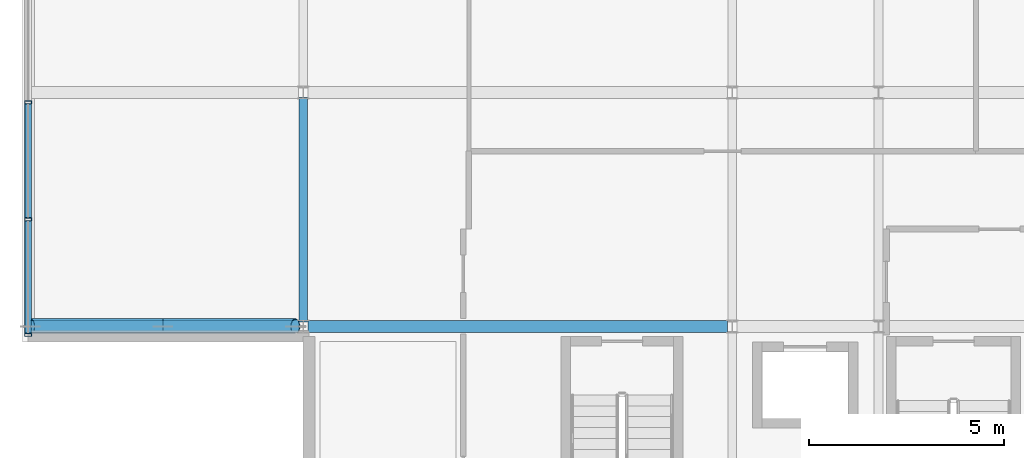
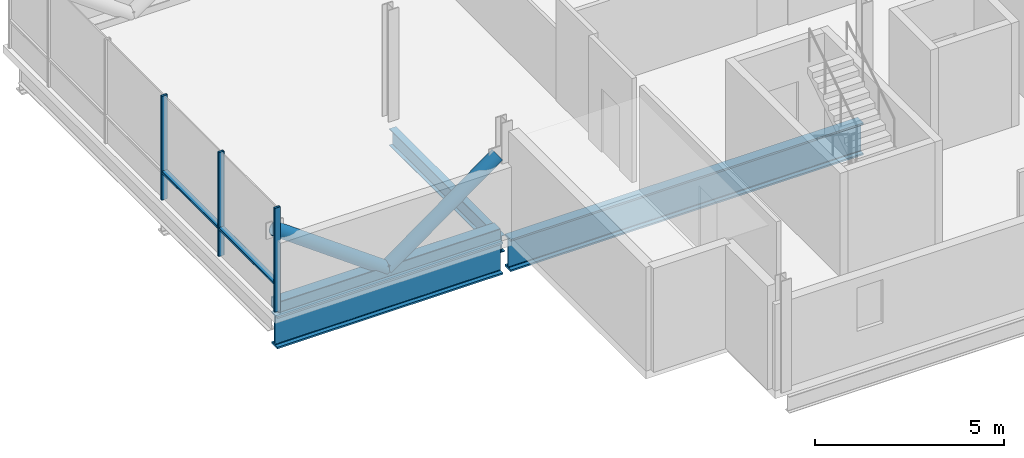
# One storey, part 2 of 18: 8 members, 3 beams, 1 element without a shape of its own.
"""IFC4 building model written with IfcOpenShell, lengths in metres."""

from ifc_helpers import new_model, si_unit, direction, frame, origin, origin_2d, place, context, subcontext, project, spatial, hollow_rectangle, hollow_circle, i_section, extrude, material, layer, layer_set, material_profile, profile_set, type_object, element, aggregate, save


model = new_model("IFC4")

# Units and contexts
model_context = context("Model", 3, precision=1e-05, world=origin(), true_north=direction((0.0, 1.0)))
body_context = subcontext(model_context, "Body", "Model", "MODEL_VIEW")
ifc_project = project(units=[si_unit("LENGTHUNIT", "METRE"), si_unit("AREAUNIT", "SQUARE_METRE"), si_unit("VOLUMEUNIT", "CUBIC_METRE"), si_unit("PLANEANGLEUNIT", "RADIAN"), si_unit("MASSUNIT", "GRAM", prefix="KILO")], contexts=[model_context])

# Site, building, storey
site_placement = place(None, origin())
site = spatial("IfcSite", under=ifc_project, at=site_placement, CompositionType="ELEMENT")
building_placement = place(site_placement, origin())
building = spatial("IfcBuilding", under=site, at=building_placement, Name="Brevholm Reach", CompositionType="ELEMENT")
storey_placement = place(building_placement, frame((0.0, 0.0, 240.050048828125)))
storey = spatial("IfcBuildingStorey", under=building, at=storey_placement, Name="L73", CompositionType="ELEMENT", Elevation=240.050048828125)

# Beams
ifc_material_1 = material(Name="Structural Steel S355J2", Category="steel")
ifc_material_profile_1 = material_profile(ifc_material_1, i_section(OverallWidth=0.210693359375, OverallDepth=0.53955078125, WebThickness=0.01171875, FlangeThickness=0.018798828125, FilletRadius=0.0126953125, at=origin_2d()), Name="UKB 533x210x109")
ifc_profile_set_1 = profile_set([ifc_material_profile_1], Name="Structural Steel S355J2")
beam_type_1 = type_object("IfcBeamType", Name="BM-SP539", PredefinedType="SPANDREL", material=ifc_profile_set_1)
beam_1_placement = place(storey_placement, frame((27.25, 10.1201171875, -0.519775390625), z_axis=(0.0, 1.0, 0.0), x_axis=(-1.0, 0.0, 0.0)))
element("IfcBeam", 1, at=beam_1_placement, inside=storey, type_object=beam_type_1, Name="L73 SP-01B Framing Beam", PredefinedType="SPANDREL", context=body_context, shape_type="SweptSolid", body=[
    extrude(i_section(OverallWidth=0.210693359375, OverallDepth=0.53955078125, WebThickness=0.01171875, FlangeThickness=0.018798828125, FilletRadius=0.0126953125, at=origin_2d()), origin(), (0.0, 0.0, 1.0), 5.759765625),
])
ifc_material_2 = material(Name="Structural Steel S460ML", Category="steel")
ifc_material_profile_2 = material_profile(ifc_material_2, i_section(OverallWidth=0.30859375, OverallDepth=1.036376953125, WebThickness=0.030029296875, FlangeThickness=0.05419921875, FilletRadius=0.030029296875, at=origin_2d()), Name="UKB 1016x305x487")
ifc_profile_set_2 = profile_set([ifc_material_profile_2], Name="Structural Steel S460ML")
beam_type_2 = type_object("IfcBeamType", Name="BM-UKB1016", PredefinedType="USERDEFINED", material=ifc_profile_set_2)
beam_2_placement = place(storey_placement, frame((20.25, 10.0, -0.768310546875), z_axis=(1.0, 0.0, 0.0), x_axis=(0.0, 1.0, 0.0)))
element("IfcBeam", 2, at=beam_2_placement, inside=storey, type_object=beam_type_2, Name="L73 Sky-Lounge Cantilever Girder", ObjectType="GIRDER", PredefinedType="USERDEFINED", context=body_context, shape_type="SweptSolid", body=[
    extrude(i_section(OverallWidth=0.30859375, OverallDepth=1.036376953125, WebThickness=0.030029296875, FlangeThickness=0.05419921875, FilletRadius=0.030029296875, at=origin_2d()), origin(), (0.0, 0.0, 1.0), 6.8798828125),
])
beam_3_placement = place(storey_placement, frame((27.3701171875, 10.0, -0.768310546875), z_axis=(1.0, 0.0, 0.0), x_axis=(0.0, 1.0, 0.0)))
element("IfcBeam", 3, at=beam_3_placement, inside=storey, type_object=beam_type_2, Name="L73 Sky-Lounge Back-Span Girder 1", ObjectType="GIRDER", PredefinedType="USERDEFINED", context=body_context, shape_type="SweptSolid", body=[
    extrude(i_section(OverallWidth=0.30859375, OverallDepth=1.036376953125, WebThickness=0.030029296875, FlangeThickness=0.05419921875, FilletRadius=0.030029296875, at=origin_2d()), origin(), (0.0, 0.0, 1.0), 10.759765625),
])

# Curtain wall, members
ifc_material_3 = material(Name="Dark Anodised Aluminium 6063-T6 and Solar-Control Glass", Category="aluminium")
ifc_layer = layer(ifc_material_3, 0.179931640625)
ifc_layer_set = layer_set([ifc_layer], Name="Dark Anodised Aluminium 6063-T6 and Solar-Control Glass")
curtain_wall_type = type_object("IfcCurtainWallType", Name="CW-05", PredefinedType="NOTDEFINED", material=ifc_layer_set)
curtain_wall_placement = place(storey_placement, origin())
curtain_wall = element("IfcCurtainWall", 4, at=curtain_wall_placement, inside=storey, type_object=curtain_wall_type, Name="L73 Curtain Wall CW-05", PredefinedType="NOTDEFINED")
ifc_material_4 = material(Name="Dark Anodised Aluminium 6063-T6", Category="aluminium")
ifc_material_profile_3 = material_profile(ifc_material_4, hollow_rectangle(XDim=0.074951171875, YDim=0.179931640625, WallThickness=0.006103515625, InnerFilletRadius=0.006103515625, OuterFilletRadius=0.011962890625, at=origin_2d()), Name="RHS 180x75x6")
ifc_profile_set_3 = profile_set([ifc_material_profile_3], Name="Dark Anodised Aluminium 6063-T6")
member_type_1 = type_object("IfcMemberType", Name="CWM-180", PredefinedType="MULLION", material=ifc_profile_set_3)
member_1_placement = place(storey_placement, frame((20.199951171875, 9.78759765625, 0.0), z_axis=(0.0, 0.0, 1.0), x_axis=(0.0, 1.0, 0.0)))
member_1 = element("IfcMember", 5, at=member_1_placement, type_object=member_type_1, Name="CM-180 Mullion 1", PredefinedType="MULLION", context=body_context, shape_type="SweptSolid", body=[
    extrude(hollow_rectangle(XDim=0.074951171875, YDim=0.179931640625, WallThickness=0.006103515625, InnerFilletRadius=0.006103515625, OuterFilletRadius=0.011962890625, at=origin_2d()), origin(), (0.0, 0.0, 1.0), 3.349853515625),
])
member_2_placement = place(storey_placement, frame((20.199951171875, 12.75, 0.0), z_axis=(0.0, 0.0, 1.0), x_axis=(0.0, 1.0, 0.0)))
member_2 = element("IfcMember", 6, at=member_2_placement, type_object=member_type_1, Name="CM-180 Mullion 2", PredefinedType="MULLION", context=body_context, shape_type="SweptSolid", body=[
    extrude(hollow_rectangle(XDim=0.074951171875, YDim=0.179931640625, WallThickness=0.006103515625, InnerFilletRadius=0.006103515625, OuterFilletRadius=0.011962890625, at=origin_2d()), origin(), (0.0, 0.0, 1.0), 3.349853515625),
])
member_3_placement = place(storey_placement, frame((20.199951171875, 15.75, 0.0), z_axis=(0.0, 0.0, 1.0), x_axis=(0.0, 1.0, 0.0)))
member_3 = element("IfcMember", 7, at=member_3_placement, type_object=member_type_1, Name="CM-180 Mullion 3", PredefinedType="MULLION", context=body_context, shape_type="SweptSolid", body=[
    extrude(hollow_rectangle(XDim=0.074951171875, YDim=0.179931640625, WallThickness=0.006103515625, InnerFilletRadius=0.006103515625, OuterFilletRadius=0.011962890625, at=origin_2d()), origin(), (0.0, 0.0, 1.0), 3.349853515625),
])
ifc_material_5 = material(Name="Dark Anodised Aluminium 6063-T6", Category="aluminium")
ifc_material_profile_4 = material_profile(ifc_material_5, hollow_rectangle(XDim=0.074951171875, YDim=0.179931640625, WallThickness=0.006103515625, InnerFilletRadius=0.006103515625, OuterFilletRadius=0.011962890625, at=origin_2d()), Name="RHS 180x75x6")
ifc_profile_set_4 = profile_set([ifc_material_profile_4], Name="Dark Anodised Aluminium 6063-T6")
member_type_2 = type_object("IfcMemberType", Name="CWT-180", PredefinedType="NOTDEFINED", material=ifc_profile_set_4)
member_4_placement = place(storey_placement, frame((20.199951171875, 9.824951171875, 0.89990234375), z_axis=(0.0, 1.0, 0.0), x_axis=(0.0, 0.0, 1.0)))
member_4 = element("IfcMember", 8, at=member_4_placement, type_object=member_type_2, Name="CT-180 Transom 1.1", ObjectType="TRANSOM", PredefinedType="USERDEFINED", context=body_context, shape_type="SweptSolid", body=[
    extrude(hollow_rectangle(XDim=0.074951171875, YDim=0.179931640625, WallThickness=0.006103515625, InnerFilletRadius=0.006103515625, OuterFilletRadius=0.011962890625, at=origin_2d()), origin(), (0.0, 0.0, 1.0), 2.887451171875),
])
member_5_placement = place(storey_placement, frame((20.199951171875, 12.78759765625, 0.89990234375), z_axis=(0.0, 1.0, 0.0), x_axis=(0.0, 0.0, 1.0)))
member_5 = element("IfcMember", 9, at=member_5_placement, type_object=member_type_2, Name="CT-180 Transom 2.1", ObjectType="TRANSOM", PredefinedType="USERDEFINED", context=body_context, shape_type="SweptSolid", body=[
    extrude(hollow_rectangle(XDim=0.074951171875, YDim=0.179931640625, WallThickness=0.006103515625, InnerFilletRadius=0.006103515625, OuterFilletRadius=0.011962890625, at=origin_2d()), origin(), (0.0, 0.0, 1.0), 2.9248046875),
])
aggregate(curtain_wall, [member_1, member_2, member_3, member_4, member_5])

# Members
ifc_material_6 = material(Name="Structural Steel S460NH", Category="steel")
ifc_material_profile_5 = material_profile(ifc_material_6, hollow_circle(Radius=0.203125, WallThickness=0.01611328125, at=origin_2d()), Name="CHS 406.4x16")
ifc_profile_set_5 = profile_set([ifc_material_profile_5], Name="Structural Steel S460NH")
member_type_3 = type_object("IfcMemberType", Name="MEM-TB-CHS406", PredefinedType="BRACE", material=ifc_profile_set_5)
member_6_placement = place(storey_placement, frame((27.050048828125, 10.0, 2.510009765625), z_axis=(-0.810192668767, 0.0, -0.586163662705), x_axis=(0.0, -1.0, 0.0)))
element("IfcMember", 10, at=member_6_placement, inside=storey, type_object=member_type_3, Name="L73 Sky-Lounge Cantilever Truss Diagonal Y10.1", PredefinedType="BRACE", context=body_context, shape_type="SweptSolid", body=[
    extrude(hollow_circle(Radius=0.203125, WallThickness=0.01611328125, at=origin_2d()), origin(), (0.0, 0.0, 1.0), 4.19677734375),
])
member_7_placement = place(storey_placement, frame((23.64990234375, 10.0, 0.050048828125), z_axis=(-0.810172679392, 0.0, 0.586191290934), x_axis=(0.0, -1.0, 0.0)))
element("IfcMember", 11, at=member_7_placement, inside=storey, type_object=member_type_3, Name="L73 Sky-Lounge Cantilever Truss Diagonal Y10.2", PredefinedType="BRACE", context=body_context, shape_type="SweptSolid", body=[
    extrude(hollow_circle(Radius=0.203125, WallThickness=0.01611328125, at=origin_2d()), origin(), (0.0, 0.0, 1.0), 4.196533203125),
])
ifc_material_7 = material(Name="Structural Steel S460NH", Category="steel")
ifc_material_profile_6 = material_profile(ifc_material_7, hollow_rectangle(XDim=0.35009765625, YDim=0.35009765625, WallThickness=0.01611328125, InnerFilletRadius=0.011962890625, OuterFilletRadius=0.02392578125, at=origin_2d()), Name="SHS 350x350x16")
ifc_profile_set_6 = profile_set([ifc_material_profile_6], Name="Structural Steel S460NH")
member_type_4 = type_object("IfcMemberType", Name="MEM-TC-SHS350", PredefinedType="CHORD", material=ifc_profile_set_6)
member_8_placement = place(storey_placement, frame((20.25, 10.0, 0.050048828125), z_axis=(1.0, 0.0, 0.0), x_axis=(0.0, 1.0, 0.0)))
element("IfcMember", 12, at=member_8_placement, inside=storey, type_object=member_type_4, Name="L73 Sky-Lounge Truss Bottom Chord Y10", PredefinedType="CHORD", context=body_context, shape_type="SweptSolid", body=[
    extrude(hollow_rectangle(XDim=0.35009765625, YDim=0.35009765625, WallThickness=0.01611328125, InnerFilletRadius=0.011962890625, OuterFilletRadius=0.02392578125, at=origin_2d()), origin(), (0.0, 0.0, 1.0), 6.800048828125),
])

save(model, "model.ifc")
